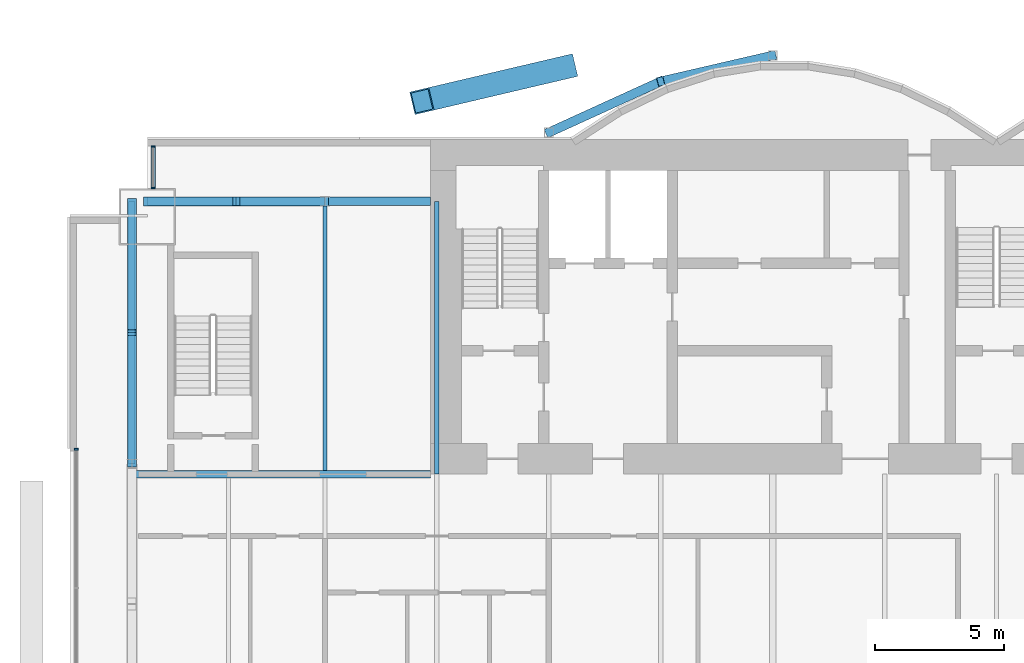
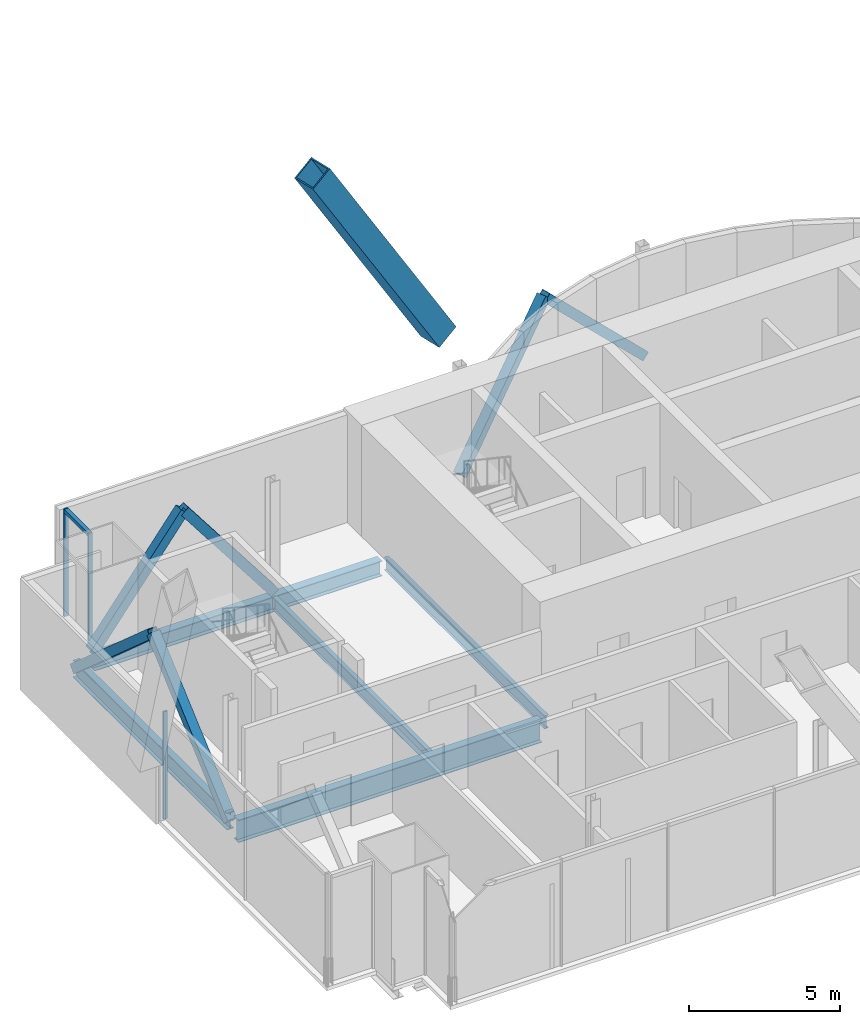
# One storey, part 9 of 22: 11 members, 6 beams, 2 elements without a shape of their own.
"""IFC4 building model written with IfcOpenShell, lengths in metres."""

from ifc_helpers import new_model, si_unit, direction, frame, origin, origin_2d, place, context, subcontext, project, spatial, rectangle, hollow_rectangle, i_section, extrude, material, material_profile, profile_set, type_object, element, aggregate, save


model = new_model("IFC4")

# Units and contexts
model_context = context("Model", 3, precision=1e-05, world=origin(), true_north=direction((0.0, 1.0)))
body_context = subcontext(model_context, "Body", "Model", "MODEL_VIEW")
ifc_project = project(units=[si_unit("LENGTHUNIT", "METRE"), si_unit("AREAUNIT", "SQUARE_METRE"), si_unit("VOLUMEUNIT", "CUBIC_METRE"), si_unit("PLANEANGLEUNIT", "RADIAN"), si_unit("MASSUNIT", "GRAM", prefix="KILO")], contexts=[model_context])

# Site, building, storey
site_placement = place(None, origin())
site = spatial("IfcSite", under=ifc_project, at=site_placement, CompositionType="ELEMENT")
building_placement = place(site_placement, origin())
building = spatial("IfcBuilding", under=site, at=building_placement, Name="Bicima Exchange Tower", CompositionType="ELEMENT")
storey_placement = place(building_placement, frame((0.0, 0.0, 315.5)))
storey = spatial("IfcBuildingStorey", under=building, at=storey_placement, Name="L71", CompositionType="ELEMENT", Elevation=315.5)

# Beam
ifc_material_1 = material(Name="Steel ASTM A992 Gr 50", Category="steel")
ifc_material_profile_1 = material_profile(ifc_material_1, i_section(OverallWidth=0.3046875, OverallDepth=0.911865234375, WebThickness=0.015869140625, FlangeThickness=0.02392578125, at=origin_2d()))
ifc_profile_set_1 = profile_set([ifc_material_profile_1], Name="Steel ASTM A992 Gr 50")
beam_type_1 = type_object("IfcBeamType", Name="Core-line girder W36x150", PredefinedType="BEAM", material=ifc_profile_set_1)
beam_1_placement = place(storey_placement, frame((-22.0, -13.0, -0.60595703125), z_axis=(-1.0, 0.0, 0.0), x_axis=(0.0, -1.0, 0.0)))
element("IfcBeam", 1, at=beam_1_placement, inside=storey, type_object=beam_type_1, Name="Core-line girder", PredefinedType="BEAM", context=body_context, shape_type="SweptSolid", body=[
    extrude(i_section(OverallWidth=0.3046875, OverallDepth=0.911865234375, WebThickness=0.015869140625, FlangeThickness=0.02392578125, at=origin_2d()), origin(), (0.0, 0.0, 1.0), 11.60009765625),
])

# Curtain wall, member
ifc_material_2 = material(Name="Anodised bronze aluminium", Category="aluminium")
curtain_wall_type_1 = type_object("IfcCurtainWallType", Name="End face glass wall", PredefinedType="NOTDEFINED", material=ifc_material_2)
curtain_wall_1_placement = place(storey_placement, origin())
curtain_wall_1 = element("IfcCurtainWall", 2, at=curtain_wall_1_placement, inside=storey, type_object=curtain_wall_type_1, Name="End face glass wall L71 run 2", PredefinedType="NOTDEFINED")
ifc_material_profile_2 = material_profile(ifc_material_2, rectangle(XDim=0.159912109375, YDim=0.06005859375, at=origin_2d()))
ifc_profile_set_2 = profile_set([ifc_material_profile_2], Name="Anodised bronze aluminium")
member_type_1 = type_object("IfcMemberType", Name="End face glass wall mullion 60 x 160", PredefinedType="MULLION", material=ifc_profile_set_2)
member_1_placement = place(storey_placement, frame((-35.77001953125, -12.030029296875, 0.0), z_axis=(0.0, 0.0, 1.0), x_axis=(1.0, 0.0, 0.0)))
member_1 = element("IfcMember", 3, at=member_1_placement, type_object=member_type_1, Name="End face glass wall mullion 1", PredefinedType="MULLION", context=body_context, shape_type="SweptSolid", body=[
    extrude(rectangle(XDim=0.159912109375, YDim=0.06005859375, at=origin_2d()), origin(), (0.0, 0.0, 1.0), 4.35009765625),
])
aggregate(curtain_wall_1, [member_1])

# Beam
ifc_material_profile_3 = material_profile(ifc_material_1, i_section(OverallWidth=0.256591796875, OverallDepth=0.693359375, WebThickness=0.014404296875, FlangeThickness=0.023681640625, at=origin_2d()))
ifc_profile_set_3 = profile_set([ifc_material_profile_3], Name="Steel ASTM A992 Gr 50")
beam_type_2 = type_object("IfcBeamType", Name="End girder W27x114", PredefinedType="BEAM", material=ifc_profile_set_3)
beam_2_placement = place(storey_placement, frame((-33.60009765625, -2.39990234375, -0.49658203125), z_axis=(0.0, -1.0, 0.0), x_axis=(1.0, 0.0, 0.0)))
element("IfcBeam", 4, at=beam_2_placement, inside=storey, type_object=beam_type_2, Name="End girder", PredefinedType="BEAM", context=body_context, shape_type="SweptSolid", body=[
    extrude(i_section(OverallWidth=0.256591796875, OverallDepth=0.693359375, WebThickness=0.014404296875, FlangeThickness=0.023681640625, at=origin_2d()), origin(), (0.0, 0.0, 1.0), 10.2001953125),
])

# Member
ifc_material_3 = material(Name="Steel ASTM A572 Gr 50", Category="steel")
ifc_material_profile_4 = material_profile(ifc_material_3, hollow_rectangle(XDim=0.89990234375, YDim=0.89990234375, WallThickness=0.050048828125, at=origin_2d()))
ifc_profile_set_4 = profile_set([ifc_material_profile_4], Name="Steel ASTM A572 Gr 50")
member_type_2 = type_object("IfcMemberType", Name="Exo mega brace BOX 900x900x50", PredefinedType="BRACE", material=ifc_profile_set_4)
member_2_placement = place(storey_placement, frame((-16.75, 2.8125, 4.02490234375), z_axis=(-0.517347803759, -0.121617114566, 0.84708944474), x_axis=(0.228840031766, -0.973464041381, 0.0)))
element("IfcMember", 5, at=member_2_placement, inside=storey, type_object=member_type_2, Name="Exo mega brace rear", PredefinedType="BRACE", context=body_context, shape_type="SweptSolid", body=[
    extrude(hollow_rectangle(XDim=0.89990234375, YDim=0.89990234375, WallThickness=0.050048828125, at=origin_2d()), origin(), (0.0, 0.0, 1.0), 10.7919921875),
])

# Beams
ifc_material_profile_5 = material_profile(ifc_material_1, i_section(OverallWidth=0.165771484375, OverallDepth=0.5283203125, WebThickness=0.009765625, FlangeThickness=0.013671875, at=origin_2d()))
ifc_profile_set_5 = profile_set([ifc_material_profile_5], Name="Steel ASTM A992 Gr 50")
beam_type_3 = type_object("IfcBeamType", Name="Floor beam W21x50", PredefinedType="JOIST", material=ifc_profile_set_5)
beam_3_placement = place(storey_placement, frame((-26.10009765625, -2.5625, -0.414306640625), z_axis=(0.0, -1.0, 0.0), x_axis=(1.0, 0.0, 0.0)))
element("IfcBeam", 6, at=beam_3_placement, inside=storey, type_object=beam_type_3, Name="Floor beam", PredefinedType="JOIST", context=body_context, shape_type="SweptSolid", body=[
    extrude(i_section(OverallWidth=0.165771484375, OverallDepth=0.5283203125, WebThickness=0.009765625, FlangeThickness=0.013671875, at=origin_2d()), origin(), (0.0, 0.0, 1.0), 10.28515625),
])
beam_4_placement = place(storey_placement, frame((-21.75, -2.39990234375, -0.414306640625), z_axis=(0.0, -1.0, 0.0), x_axis=(1.0, 0.0, 0.0)))
element("IfcBeam", 7, at=beam_4_placement, inside=storey, type_object=beam_type_3, Name="Floor beam", PredefinedType="JOIST", context=body_context, shape_type="SweptSolid", body=[
    extrude(i_section(OverallWidth=0.165771484375, OverallDepth=0.5283203125, WebThickness=0.009765625, FlangeThickness=0.013671875, at=origin_2d()), origin(), (0.0, 0.0, 1.0), 10.60009765625),
])

# Curtain wall, members
curtain_wall_type_2 = type_object("IfcCurtainWallType", Name="Front glass wall", PredefinedType="NOTDEFINED", material=ifc_material_2)
curtain_wall_2_placement = place(storey_placement, origin())
curtain_wall_2 = element("IfcCurtainWall", 8, at=curtain_wall_2_placement, inside=storey, type_object=curtain_wall_type_2, Name="Front glass wall L71 run 1", PredefinedType="NOTDEFINED")
member_type_3 = type_object("IfcMemberType", Name="Front glass wall mullion 60 x 160", PredefinedType="MULLION", material=ifc_profile_set_2)
member_3_placement = place(storey_placement, frame((-32.77001953125, -0.260009765625, 0.0), z_axis=(0.0, 0.0, 1.0), x_axis=(1.0, 0.0, 0.0)))
member_3 = element("IfcMember", 9, at=member_3_placement, type_object=member_type_3, Name="Front glass wall mullion 1", PredefinedType="MULLION", context=body_context, shape_type="SweptSolid", body=[
    extrude(rectangle(XDim=0.159912109375, YDim=0.06005859375, at=origin_2d()), origin(), (0.0, 0.0, 1.0), 4.35009765625),
])
member_4_placement = place(storey_placement, frame((-32.77001953125, -1.8701171875, 0.0), z_axis=(0.0, 0.0, 1.0), x_axis=(1.0, 0.0, 0.0)))
member_4 = element("IfcMember", 10, at=member_4_placement, type_object=member_type_3, Name="Front glass wall mullion 2", PredefinedType="MULLION", context=body_context, shape_type="SweptSolid", body=[
    extrude(rectangle(XDim=0.159912109375, YDim=0.06005859375, at=origin_2d()), origin(), (0.0, 0.0, 1.0), 4.35009765625),
])
ifc_material_profile_6 = material_profile(ifc_material_2, rectangle(XDim=0.159912109375, YDim=0.139892578125, at=origin_2d()))
ifc_profile_set_6 = profile_set([ifc_material_profile_6], Name="Anodised bronze aluminium")
member_type_4 = type_object("IfcMemberType", Name="Front glass wall transom 140 x 160", PredefinedType="USERDEFINED", material=ifc_profile_set_6)
member_5_placement = place(storey_placement, frame((-32.77001953125, -0.2900390625, 4.280029296875), z_axis=(0.0, -1.0, 0.0), x_axis=(1.0, 0.0, 0.0)))
member_5 = element("IfcMember", 11, at=member_5_placement, type_object=member_type_4, Name="Front glass wall transom 1.1", ObjectType="TRANSOM", PredefinedType="USERDEFINED", context=body_context, shape_type="SweptSolid", body=[
    extrude(rectangle(XDim=0.159912109375, YDim=0.139892578125, at=origin_2d()), origin(), (0.0, 0.0, 1.0), 1.550048828125),
])
aggregate(curtain_wall_2, [member_3, member_4, member_5])

# Members
ifc_material_profile_7 = material_profile(ifc_material_3, hollow_rectangle(XDim=0.355712890625, YDim=0.355712890625, WallThickness=0.01171875, at=origin_2d()))
ifc_profile_set_7 = profile_set([ifc_material_profile_7], Name="Steel ASTM A572 Gr 50")
member_type_5 = type_object("IfcMemberType", Name="Mega brace HSS14x14x1/2", PredefinedType="BRACE", material=ifc_profile_set_7)
member_6_placement = place(storey_placement, frame((-17.39990234375, 0.278076171875, 0.0), z_axis=(0.662507516739, 0.302231638101, 0.685375683254), x_axis=(-0.415045223819, 0.909800781592, 0.0)))
element("IfcMember", 12, at=member_6_placement, inside=storey, type_object=member_type_5, Name="Mega brace rexo", PredefinedType="BRACE", context=body_context, shape_type="SweptSolid", body=[
    extrude(hollow_rectangle(XDim=0.355712890625, YDim=0.355712890625, WallThickness=0.01171875, at=origin_2d()), origin(), (0.0, 0.0, 1.0), 6.565673828125),
])
member_7_placement = place(storey_placement, frame((-8.699951171875, 3.26904296875, 0.0), z_axis=(-0.686212303743, -0.158786245837, 0.709858860848), x_axis=(0.225438503722, -0.974257399787, 0.0)))
element("IfcMember", 13, at=member_7_placement, inside=storey, type_object=member_type_5, Name="Mega brace rexo", PredefinedType="BRACE", context=body_context, shape_type="SweptSolid", body=[
    extrude(hollow_rectangle(XDim=0.355712890625, YDim=0.355712890625, WallThickness=0.01171875, at=origin_2d()), origin(), (0.0, 0.0, 1.0), 6.33935546875),
])
for number, where, z_axis, x_axis, name in (
    (14, (-33.0, -2.39990234375, 0.0), (0.608426120198, 0.0, 0.793610519248), (0.0, 1.0, 0.0), "Mega brace rear"),
    (15, (-26.10009765625, -2.39990234375, 0.0), (-0.608426120198, 0.0, 0.793610519248), (0.0, -1.0, 0.0), "Mega brace rear"),
):
    element("IfcMember", number, at=place(storey_placement, frame(where, z_axis=z_axis, x_axis=x_axis)), inside=storey, type_object=member_type_5, Name=name, PredefinedType="BRACE", context=body_context, shape_type="SweptSolid", body=[
        extrude(hollow_rectangle(XDim=0.355712890625, YDim=0.355712890625, WallThickness=0.01171875, at=origin_2d()), origin(), (0.0, 0.0, 1.0), 5.670166015625),
    ])
for number, where, z_axis, x_axis, name in (
    (16, (-33.60009765625, -2.39990234375, -0.49658203125), (0.0, -0.749844140428, 0.661614513948), (1.0, 0.0, 0.0), "Mega brace west end"),
    (17, (-33.60009765625, -12.60009765625, -0.49658203125), (0.0, 0.749844140428, 0.661614513948), (-1.0, 0.0, 0.0), "Mega brace west end"),
):
    element("IfcMember", number, at=place(storey_placement, frame(where, z_axis=z_axis, x_axis=x_axis)), inside=storey, type_object=member_type_5, Name=name, PredefinedType="BRACE", context=body_context, shape_type="SweptSolid", body=[
        extrude(hollow_rectangle(XDim=0.355712890625, YDim=0.355712890625, WallThickness=0.01171875, at=origin_2d()), origin(), (0.0, 0.0, 1.0), 6.801513671875),
    ])

# Beams
ifc_material_profile_8 = material_profile(ifc_material_1, i_section(OverallWidth=0.3251953125, OverallDepth=0.612060546875, WebThickness=0.0126953125, FlangeThickness=0.01904296875, at=origin_2d()))
ifc_profile_set_8 = profile_set([ifc_material_profile_8], Name="Steel ASTM A992 Gr 50")
beam_type_4 = type_object("IfcBeamType", Name="Rear girder W24x104", PredefinedType="BEAM", material=ifc_profile_set_8)
beam_5_placement = place(storey_placement, frame((-22.0, -2.39990234375, -0.4560546875), z_axis=(-1.0, 0.0, 0.0), x_axis=(0.0, -1.0, 0.0)))
element("IfcBeam", 18, at=beam_5_placement, inside=storey, type_object=beam_type_4, Name="Rear girder", PredefinedType="BEAM", context=body_context, shape_type="SweptSolid", body=[
    extrude(i_section(OverallWidth=0.3251953125, OverallDepth=0.612060546875, WebThickness=0.0126953125, FlangeThickness=0.01904296875, at=origin_2d()), origin(), (0.0, 0.0, 1.0), 4.10009765625),
])
beam_6_placement = place(storey_placement, frame((-26.10009765625, -2.39990234375, -0.4560546875), z_axis=(-1.0, 0.0, 0.0), x_axis=(0.0, -1.0, 0.0)))
element("IfcBeam", 19, at=beam_6_placement, inside=storey, type_object=beam_type_4, Name="Rear girder", PredefinedType="BEAM", context=body_context, shape_type="SweptSolid", body=[
    extrude(i_section(OverallWidth=0.3251953125, OverallDepth=0.612060546875, WebThickness=0.0126953125, FlangeThickness=0.01904296875, at=origin_2d()), origin(), (0.0, 0.0, 1.0), 6.89990234375),
])

save(model, "model.ifc")
